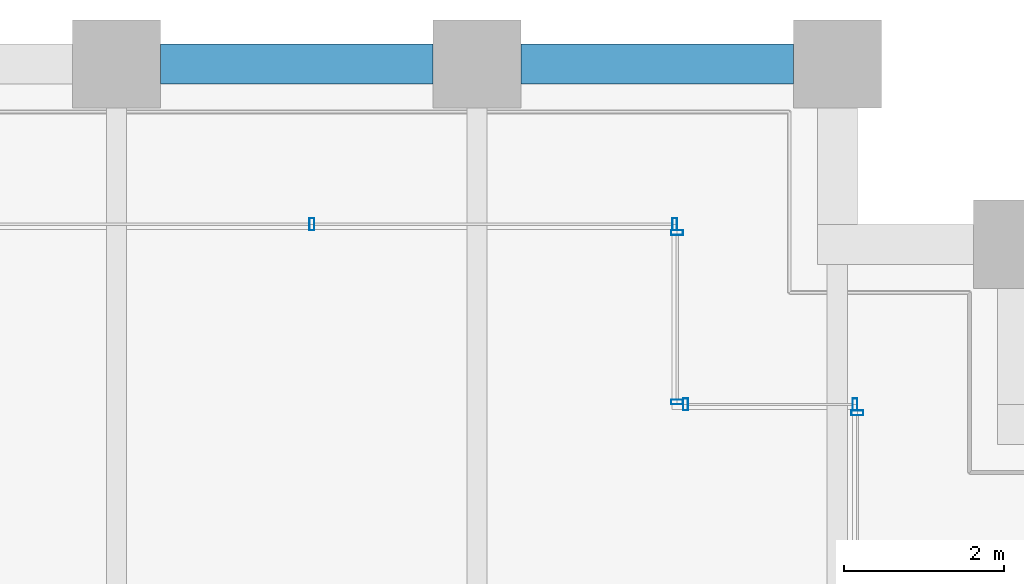
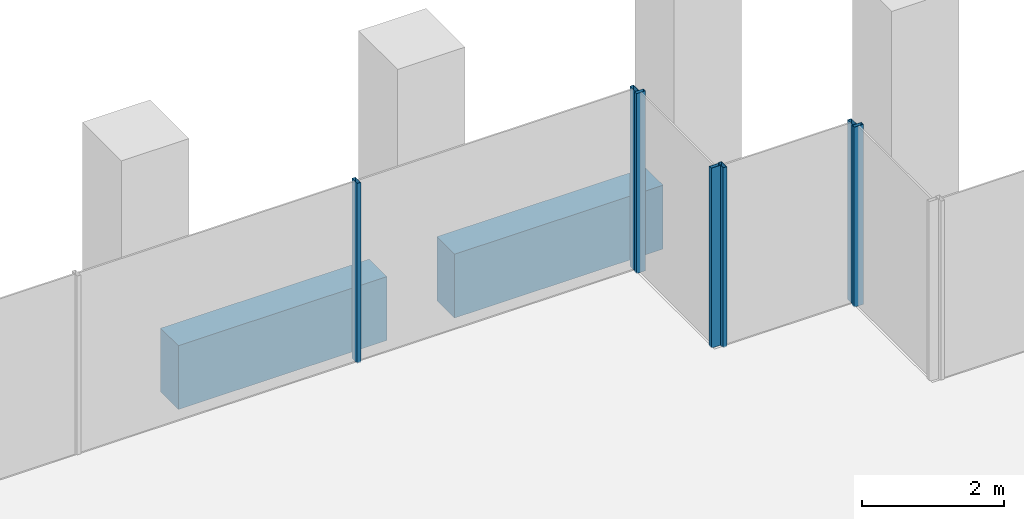
# One storey, part 32 of 56: 7 members, 2 beams, 4 elements without a shape of their own.
"""IFC4 building model written with IfcOpenShell, lengths in metres."""

import ifcopenshell
import ifcopenshell.guid

model = None  # the IFC model being written
_history = None  # IfcOwnerHistory: only IFC2X3 demands one
_inside = {}  # id of a spatial element -> (the spatial element, [elements in it])
_under = {}  # id of a project, library or spatial element -> (it, [spatial elements below it])
_declared = {}  # id of a project -> (the project, [libraries it declares])
_typed = {}  # id of a type object -> (the type object, [elements of that type])
_made_of = {}  # id of a material, layer set ... -> (it, [elements and type objects made of it])


def new_model(schema):
    """Start an empty IFC model of exactly this schema.

    Asked for "IFC4X3", IfcOpenShell would pick the latest addendum, in which some entities
    have other attributes; the version numbers below select the first issue.
    IFC2X3 requires an IfcOwnerHistory on every rooted entity: one is made here for all.
    """
    global model, _history
    if schema == "IFC4X3":
        model = ifcopenshell.file(schema_version=(4, 3, 0, 0))
    else:
        model = ifcopenshell.file(schema=schema)
    _inside.clear()
    _under.clear()
    _declared.clear()
    _typed.clear()
    _made_of.clear()
    _history = None
    if model.schema == "IFC2X3":
        org = make("IfcOrganization", Name="unknown")
        user = make(
            "IfcPersonAndOrganization",
            ThePerson=make("IfcPerson", FamilyName="unknown"),
            TheOrganization=org,
        )
        app = make(
            "IfcApplication",
            ApplicationDeveloper=org,
            Version="unknown",
            ApplicationFullName="unknown",
            ApplicationIdentifier="unknown",
        )
        _history = make(
            "IfcOwnerHistory",
            OwningUser=user,
            OwningApplication=app,
            ChangeAction="ADDED",
            CreationDate=0,
        )
    return model


def make(cls, **values):
    """One entity of the class cls with the attributes given. An attribute that is None is left unset."""
    return model.create_entity(
        cls, **{name: value for name, value in values.items() if value is not None}
    )


def rooted(cls, **values):
    """An entity with a GlobalId (a new one), such as an element, a storey or a relation."""
    return make(cls, GlobalId=ifcopenshell.guid.new(), OwnerHistory=_history, **values)


def si_unit(unit_type, name, prefix=None):
    """IfcSIUnit, for example si_unit("LENGTHUNIT", "METRE", prefix="MILLI")."""
    return make("IfcSIUnit", UnitType=unit_type, Prefix=prefix, Name=name)


def assignment(units):
    """IfcUnitAssignment: the units of a project."""
    return None if units is None else make("IfcUnitAssignment", Units=units)


def point(xyz):
    """IfcCartesianPoint."""
    return None if xyz is None else make("IfcCartesianPoint", Coordinates=xyz)


def direction(xyz):
    """IfcDirection."""
    return None if xyz is None else make("IfcDirection", DirectionRatios=xyz)


def frame(location, z_axis=None, x_axis=None):
    """IfcAxis2Placement3D, a coordinate frame: its origin and axes. An axis left out is left unset."""
    return make(
        "IfcAxis2Placement3D",
        Location=point(location),
        Axis=direction(z_axis),
        RefDirection=direction(x_axis),
    )


def frame_2d(location, x_axis=None):
    """IfcAxis2Placement2D, a coordinate frame in the plane: its origin and x axis."""
    return make(
        "IfcAxis2Placement2D", Location=point(location), RefDirection=direction(x_axis)
    )


def origin():
    """The frame at (0, 0, 0) with its axes left unset."""
    return frame((0.0, 0.0, 0.0))


def origin_2d():
    """The frame at (0, 0) in the plane with its x axis left unset."""
    return frame_2d((0.0, 0.0))


def place(relative_to, where):
    """IfcLocalPlacement: puts the frame where relative to a parent placement (None: the world)."""
    return make(
        "IfcLocalPlacement", PlacementRelTo=relative_to, RelativePlacement=where
    )


def context(
    kind, dimensions, precision=None, world=None, true_north=None, identifier=None
):
    """IfcGeometricRepresentationContext, for example the 3D "Model" context."""
    return make(
        "IfcGeometricRepresentationContext",
        ContextIdentifier=identifier,
        ContextType=kind,
        CoordinateSpaceDimension=dimensions,
        Precision=precision,
        WorldCoordinateSystem=world,
        TrueNorth=true_north,
    )


def subcontext(parent, identifier, kind, view, scale=None):
    """IfcGeometricRepresentationSubContext, for example "Body" below "Model"."""
    return make(
        "IfcGeometricRepresentationSubContext",
        ContextIdentifier=identifier,
        ContextType=kind,
        ParentContext=parent,
        TargetScale=scale,
        TargetView=view,
    )


def project(units=None, contexts=None):
    """IfcProject with its units and contexts."""
    return rooted(
        "IfcProject",
        Name="project",
        RepresentationContexts=contexts,
        UnitsInContext=assignment(units),
    )


def spatial(cls, under=None, at=None, **own):
    """A site, building, storey or space (cls), placed at a placement, below another one or the project."""
    s = rooted(cls, ObjectPlacement=at, **own)
    if under is not None:
        _under.setdefault(under.id(), (under, []))[1].append(s)
    return s


def profile(cls, at=None, kind="AREA", **sizes):
    """A parametric profile (cls). Its sizes go by their IFC names, for example OverallWidth=200.0."""
    return make(cls, ProfileType=kind, Position=at, **sizes)


def rectangle(**sizes):
    """IfcRectangleProfileDef."""
    return profile("IfcRectangleProfileDef", **sizes)


def hollow_rectangle(**sizes):
    """IfcRectangleHollowProfileDef."""
    return profile("IfcRectangleHollowProfileDef", **sizes)


def extrude(swept, where, along, depth):
    """IfcExtrudedAreaSolid: the profile swept, set in the frame where, extruded along a direction by depth."""
    return make(
        "IfcExtrudedAreaSolid",
        SweptArea=swept,
        Position=where,
        ExtrudedDirection=direction(along),
        Depth=depth,
    )


def shape(context_of_items, identifier, shape_type, items):
    """IfcShapeRepresentation: the items that make up one representation, for example the "Body"."""
    return make(
        "IfcShapeRepresentation",
        ContextOfItems=context_of_items,
        RepresentationIdentifier=identifier,
        RepresentationType=shape_type,
        Items=items,
    )


def material(Name=None, Category=None):
    """IfcMaterial."""
    return make("IfcMaterial", Name=Name, Category=Category)


def material_profile(
    of_material, cross_section, Name=None, Category=None, Priority=None
):
    """IfcMaterialProfile: a cross section and its material."""
    return make(
        "IfcMaterialProfile",
        Name=Name,
        Material=of_material,
        Profile=cross_section,
        Priority=Priority,
        Category=Category,
    )


def profile_set(profiles, Name=None, composite=None):
    """IfcMaterialProfileSet."""
    return make(
        "IfcMaterialProfileSet",
        Name=Name,
        MaterialProfiles=profiles,
        CompositeProfile=composite,
    )


def made_of(thing, what):
    """Note that an element or type object is made of a material, layer set ...; save() writes the relation."""
    if what is not None:
        _made_of.setdefault(what.id(), (what, []))[1].append(thing)
    return thing


def type_object(cls, material=None, **own):
    """A type object (cls), such as IfcWallType, which elements share."""
    return made_of(rooted(cls, **own), material)


def element(
    cls,
    number,
    at=None,
    inside=None,
    cuts=None,
    type_object=None,
    material=None,
    context=None,
    identifier="Body",
    shape_type=None,
    held_by="IfcProductDefinitionShape",
    body=None,
    shapes=None,
    **own,
):
    """One element of the class cls, such as IfcWall. Its Tag is "e" and its number.

    at: its placement. inside: the storey or other place that contains it. cuts: it is an
    opening in that element (IfcRelVoidsElement). A single representation is given by context,
    identifier, shape_type and body (its items); several are given by shapes. held_by: the class
    of the entity that holds the representations. save() writes the other relations.
    """
    e = rooted(cls, Tag="e%d" % number, ObjectPlacement=at, **own)
    if body is not None:
        shapes = [shape(context, identifier, shape_type, body)]
    if shapes is not None:
        e.Representation = make(held_by, Representations=shapes)
    if inside is not None:
        _inside.setdefault(inside.id(), (inside, []))[1].append(e)
    if cuts is not None:
        rooted(
            "IfcRelVoidsElement", RelatingBuildingElement=cuts, RelatedOpeningElement=e
        )
    if type_object is not None:
        _typed.setdefault(type_object.id(), (type_object, []))[1].append(e)
    return made_of(e, material)


def aggregate(whole, parts):
    """IfcRelAggregates: a whole, such as a stair, and the parts it consists of."""
    return rooted("IfcRelAggregates", RelatingObject=whole, RelatedObjects=parts)


def save(model, path):
    """Write the relations noted so far, then the file.

    IfcRelAggregates (storeys below a building ...), IfcRelContainedInSpatialStructure (elements
    in a storey), IfcRelDefinesByType, IfcRelAssociatesMaterial and IfcRelDeclares: one each for
    every whole, place, type object, material and project.
    """
    for whole, parts in _under.values():
        aggregate(whole, parts)
    for where, things in _inside.values():
        rooted(
            "IfcRelContainedInSpatialStructure",
            RelatedElements=things,
            RelatingStructure=where,
        )
    for kind, things in _typed.values():
        rooted("IfcRelDefinesByType", RelatedObjects=things, RelatingType=kind)
    for what, things in _made_of.values():
        rooted("IfcRelAssociatesMaterial", RelatedObjects=things, RelatingMaterial=what)
    for by, libraries in _declared.values():
        rooted("IfcRelDeclares", RelatingContext=by, RelatedDefinitions=libraries)
    model.write(path)


model = new_model("IFC4")

# Units and contexts
model_context = context("Model", 3, precision=1e-05, world=origin(), true_north=direction((0.0, 1.0)))
body_context = subcontext(model_context, "Body", "Model", "MODEL_VIEW")
ifc_project = project(units=[si_unit("LENGTHUNIT", "METRE"), si_unit("AREAUNIT", "SQUARE_METRE"), si_unit("VOLUMEUNIT", "CUBIC_METRE"), si_unit("PLANEANGLEUNIT", "RADIAN"), si_unit("MASSUNIT", "GRAM", prefix="KILO")], contexts=[model_context])

# Site, building, storey
site_placement = place(None, origin())
site = spatial("IfcSite", under=ifc_project, at=site_placement, CompositionType="ELEMENT")
building_placement = place(site_placement, origin())
building = spatial("IfcBuilding", under=site, at=building_placement, Name="Altepetl Exchange Towers", CompositionType="ELEMENT")
storey_placement = place(building_placement, frame((0.0, 0.0, 79.800048828125)))
storey = spatial("IfcBuildingStorey", under=building, at=storey_placement, Name="L19", CompositionType="ELEMENT", Elevation=79.800048828125)

# Curtain wall, member
ifc_material_1 = material(Name="Aluminium 6063-T6 glazing", Category="aluminium")
curtain_wall_type = type_object("IfcCurtainWallType", Name="Loggia glazing system", PredefinedType="NOTDEFINED", material=ifc_material_1)
curtain_wall_1_placement = place(storey_placement, origin())
curtain_wall_1 = element("IfcCurtainWall", 1, at=curtain_wall_1_placement, inside=storey, type_object=curtain_wall_type, Name="CW1 run", PredefinedType="NOTDEFINED")
ifc_material_2 = material(Name="Aluminium 6063-T6", Category="aluminium")
ifc_material_profile_1 = material_profile(ifc_material_2, hollow_rectangle(XDim=0.06005859375, YDim=0.14990234375, WallThickness=0.0029296875, at=origin_2d()), Name="Mullion 60x150 aluminium")
ifc_profile_set_1 = profile_set([ifc_material_profile_1], Name="Aluminium 6063-T6")
member_type = type_object("IfcMemberType", Name="Mullion 60x150 aluminium", PredefinedType="MULLION", material=ifc_profile_set_1)
member_1_placement = place(storey_placement, frame((67.75, 67.64501953125, 0.0), z_axis=(0.0, 0.0, 1.0), x_axis=(0.0, 1.0, 0.0)))
member_1 = element("IfcMember", 2, at=member_1_placement, type_object=member_type, Name="MU1 mullion", PredefinedType="MULLION", context=body_context, shape_type="SweptSolid", body=[
    extrude(hollow_rectangle(XDim=0.06005859375, YDim=0.14990234375, WallThickness=0.0029296875, at=origin_2d()), origin(), (0.0, 0.0, 1.0), 3.099853515625),
])
aggregate(curtain_wall_1, [member_1])

# Curtain wall, members
curtain_wall_2_placement = place(storey_placement, origin())
curtain_wall_2 = element("IfcCurtainWall", 3, at=curtain_wall_2_placement, inside=storey, type_object=curtain_wall_type, Name="CW1 run", PredefinedType="NOTDEFINED")
member_2_placement = place(storey_placement, frame((67.719970703125, 67.75, 0.0), z_axis=(0.0, 0.0, 1.0), x_axis=(-1.0, 0.0, 0.0)))
member_2 = element("IfcMember", 4, at=member_2_placement, type_object=member_type, Name="MU1 mullion", PredefinedType="MULLION", context=body_context, shape_type="SweptSolid", body=[
    extrude(hollow_rectangle(XDim=0.06005859375, YDim=0.14990234375, WallThickness=0.0029296875, at=origin_2d()), origin(), (0.0, 0.0, 1.0), 3.099853515625),
])
member_3_placement = place(storey_placement, frame((65.60498046875, 67.75, 0.0), z_axis=(0.0, 0.0, 1.0), x_axis=(-1.0, 0.0, 0.0)))
member_3 = element("IfcMember", 5, at=member_3_placement, type_object=member_type, Name="MU1 mullion", PredefinedType="MULLION", context=body_context, shape_type="SweptSolid", body=[
    extrude(hollow_rectangle(XDim=0.06005859375, YDim=0.14990234375, WallThickness=0.0029296875, at=origin_2d()), origin(), (0.0, 0.0, 1.0), 3.099853515625),
])
aggregate(curtain_wall_2, [member_2, member_3])

curtain_wall_3_placement = place(storey_placement, origin())
curtain_wall_3 = element("IfcCurtainWall", 6, at=curtain_wall_3_placement, inside=storey, type_object=curtain_wall_type, Name="CW1 run", PredefinedType="NOTDEFINED")
member_4_placement = place(storey_placement, frame((65.5, 67.780029296875, 0.0), z_axis=(0.0, 0.0, 1.0), x_axis=(0.0, 1.0, 0.0)))
member_4 = element("IfcMember", 7, at=member_4_placement, type_object=member_type, Name="MU1 mullion", PredefinedType="MULLION", context=body_context, shape_type="SweptSolid", body=[
    extrude(hollow_rectangle(XDim=0.06005859375, YDim=0.14990234375, WallThickness=0.0029296875, at=origin_2d()), origin(), (0.0, 0.0, 1.0), 3.099853515625),
])
member_5_placement = place(storey_placement, frame((65.5, 69.89501953125, 0.0), z_axis=(0.0, 0.0, 1.0), x_axis=(0.0, 1.0, 0.0)))
member_5 = element("IfcMember", 8, at=member_5_placement, type_object=member_type, Name="MU1 mullion", PredefinedType="MULLION", context=body_context, shape_type="SweptSolid", body=[
    extrude(hollow_rectangle(XDim=0.06005859375, YDim=0.14990234375, WallThickness=0.0029296875, at=origin_2d()), origin(), (0.0, 0.0, 1.0), 3.099853515625),
])
aggregate(curtain_wall_3, [member_4, member_5])

curtain_wall_4_placement = place(storey_placement, origin())
curtain_wall_4 = element("IfcCurtainWall", 9, at=curtain_wall_4_placement, inside=storey, type_object=curtain_wall_type, Name="CW1 run", PredefinedType="NOTDEFINED")
member_6_placement = place(storey_placement, frame((65.469970703125, 70.0, 0.0), z_axis=(0.0, 0.0, 1.0), x_axis=(-1.0, 0.0, 0.0)))
member_6 = element("IfcMember", 10, at=member_6_placement, type_object=member_type, Name="MU1 mullion", PredefinedType="MULLION", context=body_context, shape_type="SweptSolid", body=[
    extrude(hollow_rectangle(XDim=0.06005859375, YDim=0.14990234375, WallThickness=0.0029296875, at=origin_2d()), origin(), (0.0, 0.0, 1.0), 3.099853515625),
])
member_7_placement = place(storey_placement, frame((60.939208984375, 70.0, 0.0), z_axis=(0.0, 0.0, 1.0), x_axis=(-1.0, 0.0, 0.0)))
member_7 = element("IfcMember", 11, at=member_7_placement, type_object=member_type, Name="MU1 mullion", PredefinedType="MULLION", context=body_context, shape_type="SweptSolid", body=[
    extrude(hollow_rectangle(XDim=0.06005859375, YDim=0.14990234375, WallThickness=0.0029296875, at=origin_2d()), origin(), (0.0, 0.0, 1.0), 3.099853515625),
])
aggregate(curtain_wall_4, [member_6, member_7])

# Beams
ifc_material_3 = material(Name="Concrete C50/60 precast with cantera rosa facing", Category="concrete")
ifc_material_profile_2 = material_profile(ifc_material_3, rectangle(XDim=0.5, YDim=1.10009765625, at=origin_2d()), Name="500 x 1100")
ifc_profile_set_2 = profile_set([ifc_material_profile_2], Name="Concrete C50/60 precast with cantera rosa facing")
beam_type = type_object("IfcBeamType", Name="Spandrel beam 500x1100 cantera rosa", PredefinedType="SPANDREL", material=ifc_profile_set_2)
for number, where, z_axis, x_axis, name in (
    (12, (66.949951171875, 72.0, -0.699951171875), (-1.0, 0.0, 0.0), (0.0, -1.0, 0.0), "sp:A:L19:024"),
    (13, (62.449951171875, 72.0, -0.699951171875), (-1.0, 0.0, 0.0), (0.0, -1.0, 0.0), "sp:A:L19:025"),
):
    element("IfcBeam", number, at=place(storey_placement, frame(where, z_axis=z_axis, x_axis=x_axis)), inside=storey, type_object=beam_type, Name=name, PredefinedType="SPANDREL", context=body_context, shape_type="SweptSolid", body=[
        extrude(rectangle(XDim=0.5, YDim=1.10009765625, at=origin_2d()), origin(), (0.0, 0.0, 1.0), 3.39990234375),
    ])

save(model, "model.ifc")
